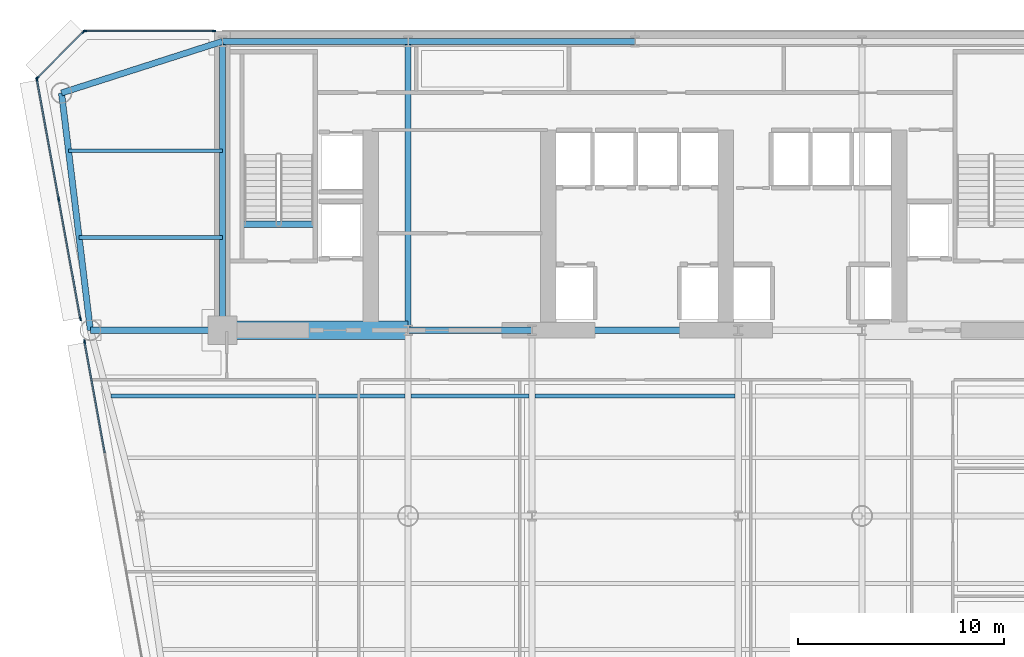
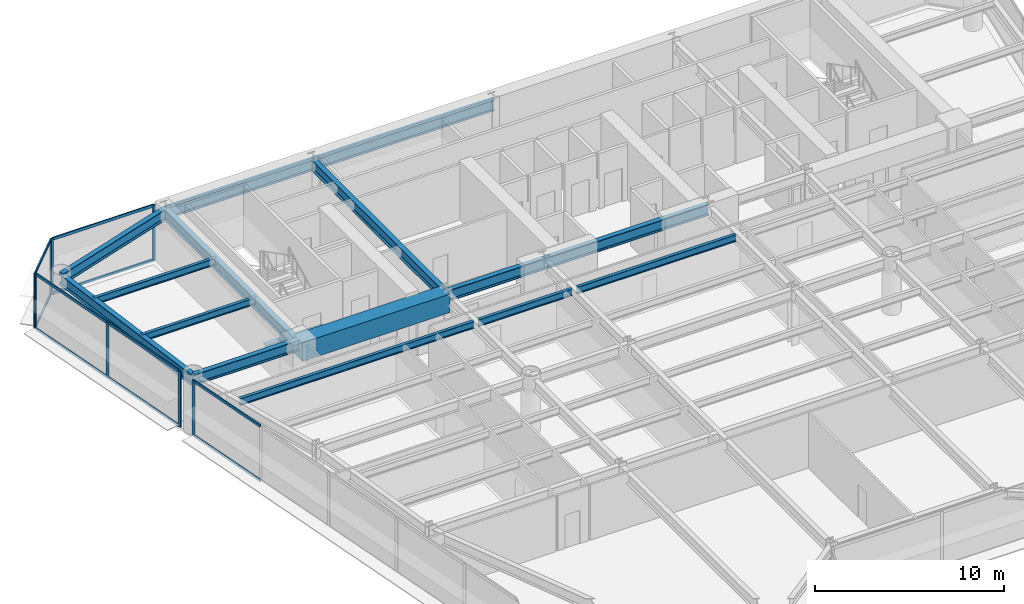
# One storey, part 5 of 14: 18 members, 16 beams, 4 elements without a shape of their own.
"""IFC4 building model written with IfcOpenShell, lengths in metres."""

from ifc_helpers import new_model, si_unit, direction, frame, origin, origin_2d, place, context, subcontext, project, spatial, rectangle, i_section, extrude, source, transform, mapped, material, layer, layer_set, material_profile, profile_set, type_object, element, aggregate, save


model = new_model("IFC4")

# Units and contexts
model_context = context("Model", 3, precision=1e-05, world=origin(), true_north=direction((0.0, 1.0)))
body_context = subcontext(model_context, "Body", "Model", "MODEL_VIEW")
ifc_project = project(units=[si_unit("LENGTHUNIT", "METRE"), si_unit("AREAUNIT", "SQUARE_METRE"), si_unit("VOLUMEUNIT", "CUBIC_METRE"), si_unit("PLANEANGLEUNIT", "RADIAN"), si_unit("MASSUNIT", "GRAM", prefix="KILO")], contexts=[model_context])

# Site, building, storey
site_placement = place(None, origin())
site = spatial("IfcSite", under=ifc_project, at=site_placement, CompositionType="ELEMENT")
building_placement = place(site_placement, origin())
building = spatial("IfcBuilding", under=site, at=building_placement, Name="Vaeldorn Concourse Tower", CompositionType="ELEMENT")
storey_placement = place(building_placement, frame((0.0, 0.0, 130.0)))
storey = spatial("IfcBuildingStorey", under=building, at=storey_placement, Name="L33", CompositionType="ELEMENT", Elevation=130.0)

# Beams
ifc_material_1 = material(Name="Concrete C60/75", Category="concrete")
ifc_material_profile_1 = material_profile(ifc_material_1, rectangle(XDim=0.89990234375, YDim=1.199951171875, at=origin_2d()), Name="RC 900x1200")
ifc_profile_set_1 = profile_set([ifc_material_profile_1], Name="Concrete C60/75")
beam_type_1 = type_object("IfcBeamType", Name="BM-CB-RC900", PredefinedType="BEAM", material=ifc_profile_set_1)
shared_shape_1 = source(origin(), body_context, "Body", "SweptSolid", [
    extrude(rectangle(XDim=0.89990234375, YDim=1.199951171875, at=origin_2d()), origin(), (0.0, 0.0, 1.0), 9.0),
])
beam_1_placement = place(storey_placement, frame((14.0, 36.5, 2.97998046875), z_axis=(1.0, 0.0, 0.0), x_axis=(0.0, 1.0, 0.0)))
element("IfcBeam", 1, at=beam_1_placement, inside=storey, type_object=beam_type_1, Name="Core Coupling Beam L33-1", PredefinedType="BEAM", context=body_context, shape_type="MappedRepresentation", body=[
    mapped(shared_shape_1, transform((0.0, 0.0, 0.0), scale=1.0)),
])
ifc_material_2 = material(Name="Steel S355", Category="steel")
ifc_material_profile_2 = material_profile(ifc_material_2, i_section(OverallWidth=0.300048828125, OverallDepth=0.340087890625, WebThickness=0.011962890625, FlangeThickness=0.021484375, FilletRadius=0.027099609375, at=origin_2d()), Name="HEB 340")
ifc_profile_set_2 = profile_set([ifc_material_profile_2], Name="Steel S355")
beam_type_2 = type_object("IfcBeamType", Name="BM-ST-TRIM", PredefinedType="BEAM", material=ifc_profile_set_2)
shared_shape_2 = source(origin(), body_context, "Body", "SweptSolid", [
    extrude(i_section(OverallWidth=0.300048828125, OverallDepth=0.340087890625, WebThickness=0.011962890625, FlangeThickness=0.021484375, FilletRadius=0.027099609375, at=origin_2d()), origin(), (0.0, 0.0, 1.0), 3.590087890625),
])
beam_2_placement = place(storey_placement, frame((14.929931640625, 41.639892578125, -0.389892578125), z_axis=(1.0, 0.0, 0.0), x_axis=(0.0, 1.0, 0.0)))
element("IfcBeam", 2, at=beam_2_placement, inside=storey, type_object=beam_type_2, Name="Stair Landing Trimmer Beam ST-1 L33", PredefinedType="BEAM", context=body_context, shape_type="MappedRepresentation", body=[
    mapped(shared_shape_2, transform((0.0, 0.0, 0.0), scale=1.0)),
])
ifc_material_profile_3 = material_profile(ifc_material_2, i_section(OverallWidth=0.300048828125, OverallDepth=0.699951171875, WebThickness=0.01708984375, FlangeThickness=0.031982421875, FilletRadius=0.027099609375, at=origin_2d()), Name="HEB 700")
ifc_profile_set_3 = profile_set([ifc_material_profile_3], Name="Steel S355")
beam_type_3 = type_object("IfcBeamType", Name="BM-PG-HEB700", PredefinedType="BEAM", material=ifc_profile_set_3)
shared_shape_3 = source(origin(), body_context, "Body", "SweptSolid", [
    extrude(i_section(OverallWidth=0.300048828125, OverallDepth=0.699951171875, WebThickness=0.01708984375, FlangeThickness=0.031982421875, FilletRadius=0.027099609375, at=origin_2d()), origin(), (0.0, 0.0, 1.0), 6.0),
])
beam_3_placement = place(storey_placement, frame((23.0, 36.5, 3.22998046875), z_axis=(1.0, 0.0, 0.0), x_axis=(0.0, 1.0, 0.0)))
element("IfcBeam", 3, at=beam_3_placement, inside=storey, type_object=beam_type_3, Name="Beam BM-L33-C-FC2-C-FC3", PredefinedType="BEAM", context=body_context, shape_type="MappedRepresentation", body=[
    mapped(shared_shape_3, transform((0.0, 0.0, 0.0), scale=1.0)),
])
shared_shape_4 = source(origin(), body_context, "Body", "SweptSolid", [
    extrude(i_section(OverallWidth=0.300048828125, OverallDepth=0.699951171875, WebThickness=0.01708984375, FlangeThickness=0.031982421875, FilletRadius=0.027099609375, at=origin_2d()), origin(), (0.0, 0.0, 1.0), 10.0),
])
beam_4_placement = place(storey_placement, frame((29.0, 36.5, 3.22998046875), z_axis=(1.0, 0.0, 0.0), x_axis=(0.0, 1.0, 0.0)))
element("IfcBeam", 4, at=beam_4_placement, inside=storey, type_object=beam_type_3, Name="Beam BM-L33-C-FC3-C-FC4", PredefinedType="BEAM", context=body_context, shape_type="MappedRepresentation", body=[
    mapped(shared_shape_4, transform((0.0, 0.0, 0.0), scale=1.0)),
])
shared_shape_5 = source(origin(), body_context, "Body", "SweptSolid", [
    extrude(i_section(OverallWidth=0.300048828125, OverallDepth=0.699951171875, WebThickness=0.01708984375, FlangeThickness=0.031982421875, FilletRadius=0.027099609375, at=origin_2d()), origin(), (0.0, 0.0, 1.0), 9.0),
])
beam_5_placement = place(storey_placement, frame((14.0, 50.5, 3.22998046875), z_axis=(1.0, 0.0, 0.0), x_axis=(0.0, 1.0, 0.0)))
element("IfcBeam", 5, at=beam_5_placement, inside=storey, type_object=beam_type_3, Name="Beam BM-L33-C-HC1-C-HC2", PredefinedType="BEAM", context=body_context, shape_type="MappedRepresentation", body=[
    mapped(shared_shape_5, transform((0.0, 0.0, 0.0), scale=1.0)),
])
shared_shape_6 = source(origin(), body_context, "Body", "SweptSolid", [
    extrude(i_section(OverallWidth=0.300048828125, OverallDepth=0.699951171875, WebThickness=0.01708984375, FlangeThickness=0.031982421875, FilletRadius=0.027099609375, at=origin_2d()), origin(), (0.0, 0.0, 1.0), 11.0),
])
beam_6_placement = place(storey_placement, frame((23.0, 50.5, 3.22998046875), z_axis=(1.0, 0.0, 0.0), x_axis=(0.0, 1.0, 0.0)))
element("IfcBeam", 6, at=beam_6_placement, inside=storey, type_object=beam_type_3, Name="Beam BM-L33-C-HC2-C-HC3", PredefinedType="BEAM", context=body_context, shape_type="MappedRepresentation", body=[
    mapped(shared_shape_6, transform((0.0, 0.0, 0.0), scale=1.0)),
])
shared_shape_7 = source(origin(), body_context, "Body", "SweptSolid", [
    extrude(i_section(OverallWidth=0.300048828125, OverallDepth=0.699951171875, WebThickness=0.01708984375, FlangeThickness=0.031982421875, FilletRadius=0.027099609375, at=origin_2d()), origin(), (0.0, 0.0, 1.0), 14.0),
])
for number, where, z_axis, x_axis, name in (
    (7, (14.0, 36.5, 3.22998046875), (0.0, 1.0, 0.0), (-1.0, 0.0, 0.0), "Beam BM-L33-C-FC1-C-HC1"),
    (8, (23.0, 36.5, 3.22998046875), (0.0, 1.0, 0.0), (-1.0, 0.0, 0.0), "Beam BM-L33-C-FC2-C-HC2"),
):
    element("IfcBeam", number, at=place(storey_placement, frame(where, z_axis=z_axis, x_axis=x_axis)), inside=storey, type_object=beam_type_3, Name=name, PredefinedType="BEAM", context=body_context, shape_type="MappedRepresentation", body=[
        mapped(shared_shape_7, transform((0.0, 0.0, 0.0), scale=1.0)),
    ])
shared_shape_8 = source(origin(), body_context, "Body", "SweptSolid", [
    extrude(i_section(OverallWidth=0.300048828125, OverallDepth=0.699951171875, WebThickness=0.01708984375, FlangeThickness=0.031982421875, FilletRadius=0.027099609375, at=origin_2d()), origin(), (0.0, 0.0, 1.0), 8.19091796875),
])
beam_7_placement = place(storey_placement, frame((6.199951171875, 48.0, 3.22998046875), z_axis=(0.952282843383, 0.305216949396, 0.0), x_axis=(-0.305216949396, 0.952282843383, 0.0)))
element("IfcBeam", 9, at=beam_7_placement, inside=storey, type_object=beam_type_3, Name="Beam BM-L33-C-NW1-C-HC1", PredefinedType="BEAM", context=body_context, shape_type="MappedRepresentation", body=[
    mapped(shared_shape_8, transform((0.0, 0.0, 0.0), scale=1.0)),
])
shared_shape_9 = source(origin(), body_context, "Body", "SweptSolid", [
    extrude(i_section(OverallWidth=0.300048828125, OverallDepth=0.699951171875, WebThickness=0.01708984375, FlangeThickness=0.031982421875, FilletRadius=0.027099609375, at=origin_2d()), origin(), (0.0, 0.0, 1.0), 11.5849609375),
])
beam_8_placement = place(storey_placement, frame((6.199951171875, 48.0, 3.22998046875), z_axis=(0.120859382899, -0.992669637677, 0.0), x_axis=(0.992669637677, 0.120859382899, 0.0)))
element("IfcBeam", 10, at=beam_8_placement, inside=storey, type_object=beam_type_3, Name="Beam BM-L33-C-NW1-C-NW2", PredefinedType="BEAM", context=body_context, shape_type="MappedRepresentation", body=[
    mapped(shared_shape_9, transform((0.0, 0.0, 0.0), scale=1.0)),
])
shared_shape_10 = source(origin(), body_context, "Body", "SweptSolid", [
    extrude(i_section(OverallWidth=0.300048828125, OverallDepth=0.699951171875, WebThickness=0.01708984375, FlangeThickness=0.031982421875, FilletRadius=0.027099609375, at=origin_2d()), origin(), (0.0, 0.0, 1.0), 6.39990234375),
])
beam_9_placement = place(storey_placement, frame((7.60009765625, 36.5, 3.22998046875), z_axis=(1.0, 0.0, 0.0), x_axis=(0.0, 1.0, 0.0)))
element("IfcBeam", 11, at=beam_9_placement, inside=storey, type_object=beam_type_3, Name="Beam BM-L33-C-NW2-C-FC1", PredefinedType="BEAM", context=body_context, shape_type="MappedRepresentation", body=[
    mapped(shared_shape_10, transform((0.0, 0.0, 0.0), scale=1.0)),
])
ifc_material_profile_4 = material_profile(ifc_material_2, i_section(OverallWidth=0.18994140625, OverallDepth=0.449951171875, WebThickness=0.009521484375, FlangeThickness=0.0146484375, FilletRadius=0.02099609375, at=origin_2d()), Name="IPE 450")
ifc_profile_set_4 = profile_set([ifc_material_profile_4], Name="Steel S355")
beam_type_4 = type_object("IfcBeamType", Name="BM-JS-IPE450", PredefinedType="JOIST", material=ifc_profile_set_4)
shared_shape_11 = source(origin(), body_context, "Body", "SweptSolid", [
    extrude(i_section(OverallWidth=0.18994140625, OverallDepth=0.449951171875, WebThickness=0.009521484375, FlangeThickness=0.0146484375, FilletRadius=0.02099609375, at=origin_2d()), origin(), (0.0, 0.0, 1.0), 5.7001953125),
])
beam_10_placement = place(storey_placement, frame((23.14990234375, 33.320068359375, 3.35498046875), z_axis=(1.0, 0.0, 0.0), x_axis=(0.0, 1.0, 0.0)))
element("IfcBeam", 12, at=beam_10_placement, inside=storey, type_object=beam_type_4, Name="Beam JS-L33-W2-333", PredefinedType="JOIST", context=body_context, shape_type="MappedRepresentation", body=[
    mapped(shared_shape_11, transform((0.0, 0.0, 0.0), scale=1.0)),
])
shared_shape_12 = source(origin(), body_context, "Body", "SweptSolid", [
    extrude(i_section(OverallWidth=0.18994140625, OverallDepth=0.449951171875, WebThickness=0.009521484375, FlangeThickness=0.0146484375, FilletRadius=0.02099609375, at=origin_2d()), origin(), (0.0, 0.0, 1.0), 9.7001953125),
])
beam_11_placement = place(storey_placement, frame((29.14990234375, 33.320068359375, 3.35498046875), z_axis=(1.0, 0.0, 0.0), x_axis=(0.0, 1.0, 0.0)))
element("IfcBeam", 13, at=beam_11_placement, inside=storey, type_object=beam_type_4, Name="Beam JS-L33-C-333", PredefinedType="JOIST", context=body_context, shape_type="MappedRepresentation", body=[
    mapped(shared_shape_12, transform((0.0, 0.0, 0.0), scale=1.0)),
])
shared_shape_13 = source(origin(), body_context, "Body", "SweptSolid", [
    extrude(i_section(OverallWidth=0.18994140625, OverallDepth=0.449951171875, WebThickness=0.009521484375, FlangeThickness=0.0146484375, FilletRadius=0.02099609375, at=origin_2d()), origin(), (0.0, 0.0, 1.0), 6.94775390625),
])
beam_12_placement = place(storey_placement, frame((7.05224609375, 41.0, 3.35498046875), z_axis=(1.0, 0.0, 0.0), x_axis=(0.0, 1.0, 0.0)))
element("IfcBeam", 14, at=beam_12_placement, inside=storey, type_object=beam_type_4, Name="Beam JS-L33-NW-410", PredefinedType="JOIST", context=body_context, shape_type="MappedRepresentation", body=[
    mapped(shared_shape_13, transform((0.0, 0.0, 0.0), scale=1.0)),
])
shared_shape_14 = source(origin(), body_context, "Body", "SweptSolid", [
    extrude(i_section(OverallWidth=0.18994140625, OverallDepth=0.449951171875, WebThickness=0.009521484375, FlangeThickness=0.0146484375, FilletRadius=0.02099609375, at=origin_2d()), origin(), (0.0, 0.0, 1.0), 7.458984375),
])
beam_13_placement = place(storey_placement, frame((6.541015625, 45.199951171875, 3.35498046875), z_axis=(1.0, 0.0, 0.0), x_axis=(0.0, 1.0, 0.0)))
element("IfcBeam", 15, at=beam_13_placement, inside=storey, type_object=beam_type_4, Name="Beam JS-L33-NW-452", PredefinedType="JOIST", context=body_context, shape_type="MappedRepresentation", body=[
    mapped(shared_shape_14, transform((0.0, 0.0, 0.0), scale=1.0)),
])
shared_shape_15 = source(origin(), body_context, "Body", "SweptSolid", [
    extrude(i_section(OverallWidth=0.18994140625, OverallDepth=0.449951171875, WebThickness=0.009521484375, FlangeThickness=0.0146484375, FilletRadius=0.02099609375, at=origin_2d()), origin(), (0.0, 0.0, 1.0), 14.252197265625),
])
beam_14_placement = place(storey_placement, frame((8.597900390625, 33.320068359375, 3.35498046875), z_axis=(1.0, 0.0, 0.0), x_axis=(0.0, 1.0, 0.0)))
element("IfcBeam", 16, at=beam_14_placement, inside=storey, type_object=beam_type_4, Name="Beam JS-L33-W1-333", PredefinedType="JOIST", context=body_context, shape_type="MappedRepresentation", body=[
    mapped(shared_shape_15, transform((0.0, 0.0, 0.0), scale=1.0)),
])

# Curtain wall, members
ifc_material_3 = material(Name="Anodised Bronze Aluminium", Category="aluminium")
ifc_layer = layer(ifc_material_3, 0.199951171875)
ifc_layer_set = layer_set([ifc_layer], Name="Anodised Bronze Aluminium")
curtain_wall_type = type_object("IfcCurtainWallType", Name="CW-SYS-02", PredefinedType="NOTDEFINED", material=ifc_layer_set)
curtain_wall_1_placement = place(storey_placement, origin())
curtain_wall_1 = element("IfcCurtainWall", 17, at=curtain_wall_1_placement, inside=storey, type_object=curtain_wall_type, Name="Unitised Curtain Wall CW-L33-E10-1", PredefinedType="NOTDEFINED")
ifc_material_profile_5 = material_profile(ifc_material_3, rectangle(XDim=0.074951171875, YDim=0.179931640625, at=origin_2d()), Name="CWT 75x180")
ifc_profile_set_5 = profile_set([ifc_material_profile_5], Name="Anodised Bronze Aluminium")
member_type_1 = type_object("IfcMemberType", Name="CWT-BRONZE-180", PredefinedType="USERDEFINED", material=ifc_profile_set_5)
shared_shape_16 = source(origin(), body_context, "Body", "SweptSolid", [
    extrude(rectangle(XDim=0.074951171875, YDim=0.179931640625, at=origin_2d()), origin(), (0.0, 0.0, 1.0), 3.10302734375),
])
member_1_placement = place(storey_placement, frame((7.2470703125, 50.947021484375, 0.03759765625), z_axis=(-0.707106781187, -0.707106781187, 0.0), x_axis=(0.707106781187, -0.707106781187, 0.0)))
member_1 = element("IfcMember", 18, at=member_1_placement, type_object=member_type_1, Name="CW-02 transom 1.1", ObjectType="TRANSOM", PredefinedType="USERDEFINED", context=body_context, shape_type="MappedRepresentation", body=[
    mapped(shared_shape_16, transform((0.0, 0.0, 0.0), scale=1.0)),
])
member_2_placement = place(storey_placement, frame((7.2470703125, 50.947021484375, 3.54248046875), z_axis=(-0.707106781187, -0.707106781187, 0.0), x_axis=(0.707106781187, -0.707106781187, 0.0)))
member_2 = element("IfcMember", 19, at=member_2_placement, type_object=member_type_1, Name="CW-02 transom 1.2", ObjectType="TRANSOM", PredefinedType="USERDEFINED", context=body_context, shape_type="MappedRepresentation", body=[
    mapped(shared_shape_16, transform((0.0, 0.0, 0.0), scale=1.0)),
])

curtain_wall_2_placement = place(storey_placement, origin())
curtain_wall_2 = element("IfcCurtainWall", 20, at=curtain_wall_2_placement, inside=storey, type_object=curtain_wall_type, Name="Unitised Curtain Wall CW-L33-E09-2", PredefinedType="NOTDEFINED")
ifc_material_profile_6 = material_profile(ifc_material_3, rectangle(XDim=0.074951171875, YDim=0.18994140625, at=origin_2d()), Name="CWM 75x190")
ifc_profile_set_6 = profile_set([ifc_material_profile_6], Name="Anodised Bronze Aluminium")
member_type_2 = type_object("IfcMemberType", Name="CWM-BRONZE-190", PredefinedType="MULLION", material=ifc_profile_set_6)
shared_shape_17 = source(origin(), body_context, "Body", "SweptSolid", [
    extrude(rectangle(XDim=0.074951171875, YDim=0.18994140625, at=origin_2d()), origin(), (0.0, 0.0, 1.0), 3.580078125),
])
member_3_placement = place(storey_placement, frame((13.592529296875, 51.0, 0.0), z_axis=(0.0, 0.0, 1.0), x_axis=(0.0, -1.0, 0.0)))
member_3 = element("IfcMember", 21, at=member_3_placement, type_object=member_type_2, Name="CW-02 mullion 1", PredefinedType="MULLION", context=body_context, shape_type="MappedRepresentation", body=[
    mapped(shared_shape_17, transform((0.0, 0.0, 0.0), scale=1.0)),
])
member_4_placement = place(storey_placement, frame((7.33740234375, 51.0, 0.0), z_axis=(0.0, 0.0, 1.0), x_axis=(0.0, -1.0, 0.0)))
member_4 = element("IfcMember", 22, at=member_4_placement, type_object=member_type_2, Name="CW-02 mullion 2", PredefinedType="MULLION", context=body_context, shape_type="MappedRepresentation", body=[
    mapped(shared_shape_17, transform((0.0, 0.0, 0.0), scale=1.0)),
])

# Member
member_5_placement = place(storey_placement, frame((7.2734375, 50.973388671875, 0.0), z_axis=(0.0, 0.0, 1.0), x_axis=(0.707106781187, -0.707106781187, 0.0)))
member_5 = element("IfcMember", 23, at=member_5_placement, type_object=member_type_2, Name="CW-02 mullion 1", PredefinedType="MULLION", context=body_context, shape_type="MappedRepresentation", body=[
    mapped(shared_shape_17, transform((0.0, 0.0, 0.0), scale=1.0)),
])

member_6_placement = place(storey_placement, frame((5.026611328125, 48.7265625, 0.0), z_axis=(0.0, 0.0, 1.0), x_axis=(0.707106781187, -0.707106781187, 0.0)))
member_6 = element("IfcMember", 24, at=member_6_placement, type_object=member_type_2, Name="CW-02 mullion 2", PredefinedType="MULLION", context=body_context, shape_type="MappedRepresentation", body=[
    mapped(shared_shape_17, transform((0.0, 0.0, 0.0), scale=1.0)),
])

aggregate(curtain_wall_1, [member_5, member_6, member_1, member_2])

# Curtain wall, members
curtain_wall_3_placement = place(storey_placement, origin())
curtain_wall_3 = element("IfcCurtainWall", 25, at=curtain_wall_3_placement, inside=storey, type_object=curtain_wall_type, Name="Unitised Curtain Wall CW-L33-E11-1", PredefinedType="NOTDEFINED")
member_7_placement = place(storey_placement, frame((5.006591796875, 48.6630859375, 0.0), z_axis=(0.0, 0.0, 1.0), x_axis=(0.983890655974, 0.178771298276, 0.0)))
member_7 = element("IfcMember", 26, at=member_7_placement, type_object=member_type_2, Name="CW-02 mullion 1", PredefinedType="MULLION", context=body_context, shape_type="MappedRepresentation", body=[
    mapped(shared_shape_17, transform((0.0, 0.0, 0.0), scale=1.0)),
])
member_8_placement = place(storey_placement, frame((6.061279296875, 42.85888671875, 0.0), z_axis=(0.0, 0.0, 1.0), x_axis=(0.983890655974, 0.178771298276, 0.0)))
member_8 = element("IfcMember", 27, at=member_8_placement, type_object=member_type_2, Name="CW-02 mullion 2", PredefinedType="MULLION", context=body_context, shape_type="MappedRepresentation", body=[
    mapped(shared_shape_17, transform((0.0, 0.0, 0.0), scale=1.0)),
])
member_9_placement = place(storey_placement, frame((7.115966796875, 37.054931640625, 0.0), z_axis=(0.0, 0.0, 1.0), x_axis=(0.983890655974, 0.178771298276, 0.0)))
member_9 = element("IfcMember", 28, at=member_9_placement, type_object=member_type_2, Name="CW-02 mullion 3", PredefinedType="MULLION", context=body_context, shape_type="MappedRepresentation", body=[
    mapped(shared_shape_17, transform((0.0, 0.0, 0.0), scale=1.0)),
])

# Curtain wall, member
curtain_wall_4_placement = place(storey_placement, origin())
curtain_wall_4 = element("IfcCurtainWall", 29, at=curtain_wall_4_placement, inside=storey, type_object=curtain_wall_type, Name="Unitised Curtain Wall CW-L33-E11-2", PredefinedType="NOTDEFINED")
member_10_placement = place(storey_placement, frame((7.317626953125, 35.945068359375, 0.0), z_axis=(0.0, 0.0, 1.0), x_axis=(0.983890155414, 0.178774053149, 0.0)))
member_10 = element("IfcMember", 30, at=member_10_placement, type_object=member_type_2, Name="CW-02 mullion 1", PredefinedType="MULLION", context=body_context, shape_type="MappedRepresentation", body=[
    mapped(shared_shape_17, transform((0.0, 0.0, 0.0), scale=1.0)),
])

# Member
shared_shape_18 = source(origin(), body_context, "Body", "SweptSolid", [
    extrude(rectangle(XDim=0.074951171875, YDim=0.179931640625, at=origin_2d()), origin(), (0.0, 0.0, 1.0), 6.179931640625),
])
member_11_placement = place(storey_placement, frame((13.554931640625, 51.0, 0.03759765625), z_axis=(-1.0, 0.0, 0.0), x_axis=(0.0, -1.0, 0.0)))
member_11 = element("IfcMember", 31, at=member_11_placement, type_object=member_type_1, Name="CW-02 transom 1.1", ObjectType="TRANSOM", PredefinedType="USERDEFINED", context=body_context, shape_type="MappedRepresentation", body=[
    mapped(shared_shape_18, transform((0.0, 0.0, 0.0), scale=1.0)),
])

member_12_placement = place(storey_placement, frame((13.554931640625, 51.0, 3.54248046875), z_axis=(-1.0, 0.0, 0.0), x_axis=(0.0, -1.0, 0.0)))
member_12 = element("IfcMember", 32, at=member_12_placement, type_object=member_type_1, Name="CW-02 transom 1.2", ObjectType="TRANSOM", PredefinedType="USERDEFINED", context=body_context, shape_type="MappedRepresentation", body=[
    mapped(shared_shape_18, transform((0.0, 0.0, 0.0), scale=1.0)),
])

aggregate(curtain_wall_2, [member_3, member_4, member_11, member_12])

shared_shape_19 = source(origin(), body_context, "Body", "SweptSolid", [
    extrude(rectangle(XDim=0.074951171875, YDim=0.179931640625, at=origin_2d()), origin(), (0.0, 0.0, 1.0), 5.430908203125),
])
member_13_placement = place(storey_placement, frame((7.32421875, 35.908203125, 0.03759765625), z_axis=(0.178778628491, -0.983889324058, 0.0), x_axis=(0.983889324058, 0.178778628491, 0.0)))
member_13 = element("IfcMember", 33, at=member_13_placement, type_object=member_type_1, Name="CW-02 transom 1.1", ObjectType="TRANSOM", PredefinedType="USERDEFINED", context=body_context, shape_type="MappedRepresentation", body=[
    mapped(shared_shape_19, transform((0.0, 0.0, 0.0), scale=1.0)),
])

member_14_placement = place(storey_placement, frame((7.32421875, 35.908203125, 3.54248046875), z_axis=(0.178778628491, -0.983889324058, 0.0), x_axis=(0.983889324058, 0.178778628491, 0.0)))
member_14 = element("IfcMember", 34, at=member_14_placement, type_object=member_type_1, Name="CW-02 transom 1.2", ObjectType="TRANSOM", PredefinedType="USERDEFINED", context=body_context, shape_type="MappedRepresentation", body=[
    mapped(shared_shape_19, transform((0.0, 0.0, 0.0), scale=1.0)),
])

aggregate(curtain_wall_4, [member_10, member_13, member_14])

shared_shape_20 = source(origin(), body_context, "Body", "SweptSolid", [
    extrude(rectangle(XDim=0.074951171875, YDim=0.179931640625, at=origin_2d()), origin(), (0.0, 0.0, 1.0), 5.823974609375),
])
member_15_placement = place(storey_placement, frame((5.013427734375, 48.626220703125, 0.03759765625), z_axis=(0.178785837014, -0.983888014198, 0.0), x_axis=(0.983888014198, 0.178785837014, 0.0)))
member_15 = element("IfcMember", 35, at=member_15_placement, type_object=member_type_1, Name="CW-02 transom 1.1", ObjectType="TRANSOM", PredefinedType="USERDEFINED", context=body_context, shape_type="MappedRepresentation", body=[
    mapped(shared_shape_20, transform((0.0, 0.0, 0.0), scale=1.0)),
])

member_16_placement = place(storey_placement, frame((5.013427734375, 48.626220703125, 3.54248046875), z_axis=(0.178785837014, -0.983888014198, 0.0), x_axis=(0.983888014198, 0.178785837014, 0.0)))
member_16 = element("IfcMember", 36, at=member_16_placement, type_object=member_type_1, Name="CW-02 transom 1.2", ObjectType="TRANSOM", PredefinedType="USERDEFINED", context=body_context, shape_type="MappedRepresentation", body=[
    mapped(shared_shape_20, transform((0.0, 0.0, 0.0), scale=1.0)),
])

member_17_placement = place(storey_placement, frame((6.068115234375, 42.822021484375, 0.03759765625), z_axis=(0.178745257177, -0.983895387242, 0.0), x_axis=(0.983895387242, 0.178745257177, 0.0)))
member_17 = element("IfcMember", 37, at=member_17_placement, type_object=member_type_1, Name="CW-02 transom 2.1", ObjectType="TRANSOM", PredefinedType="USERDEFINED", context=body_context, shape_type="MappedRepresentation", body=[
    mapped(shared_shape_20, transform((0.0, 0.0, 0.0), scale=1.0)),
])

member_18_placement = place(storey_placement, frame((6.068115234375, 42.822021484375, 3.54248046875), z_axis=(0.178745257177, -0.983895387242, 0.0), x_axis=(0.983895387242, 0.178745257177, 0.0)))
member_18 = element("IfcMember", 38, at=member_18_placement, type_object=member_type_1, Name="CW-02 transom 2.2", ObjectType="TRANSOM", PredefinedType="USERDEFINED", context=body_context, shape_type="MappedRepresentation", body=[
    mapped(shared_shape_20, transform((0.0, 0.0, 0.0), scale=1.0)),
])

aggregate(curtain_wall_3, [member_7, member_8, member_9, member_15, member_16, member_17, member_18])

save(model, "model.ifc")
